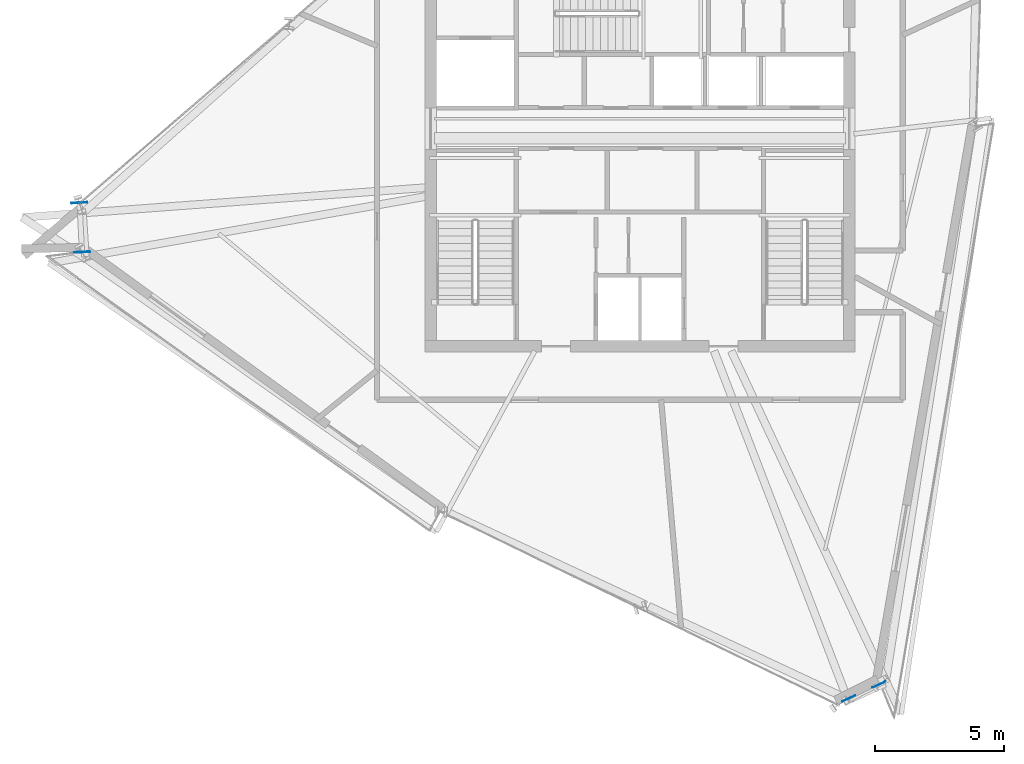
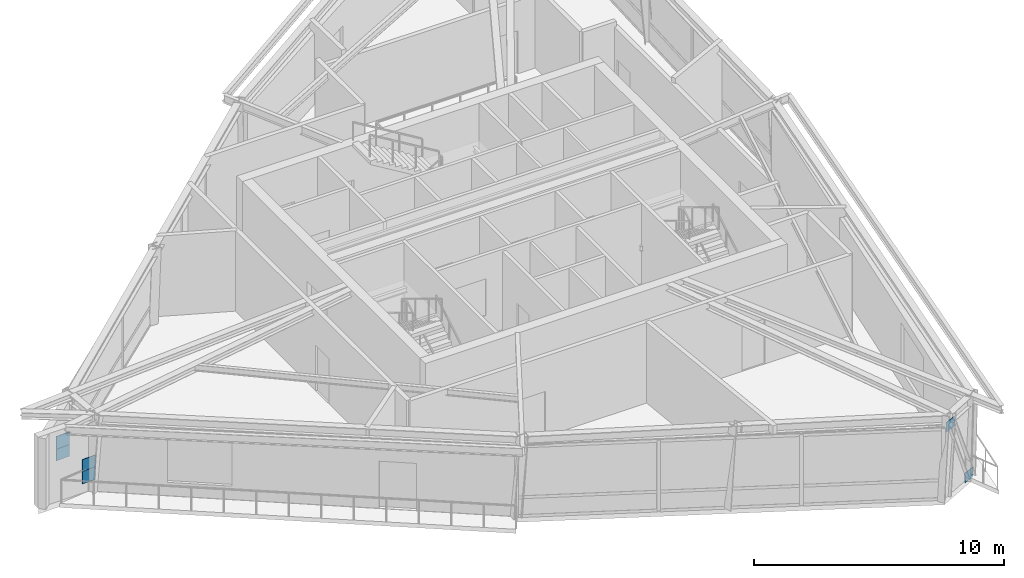
# One storey, part 15 of 22: 6 plates.
"""IFC4 building model written with IfcOpenShell, lengths in metres."""

from ifc_helpers import new_model, si_unit, direction, frame, origin, origin_2d, place, context, subcontext, project, spatial, rectangle, extrude, source, transform, mapped, material, type_object, element, save


model = new_model("IFC4")

# Units and contexts
model_context = context("Model", 3, precision=1e-05, world=origin(), true_north=direction((0.0, 1.0)))
body_context = subcontext(model_context, "Body", "Model", "MODEL_VIEW")
ifc_project = project(units=[si_unit("LENGTHUNIT", "METRE"), si_unit("AREAUNIT", "SQUARE_METRE"), si_unit("VOLUMEUNIT", "CUBIC_METRE"), si_unit("PLANEANGLEUNIT", "RADIAN"), si_unit("MASSUNIT", "GRAM", prefix="KILO")], contexts=[model_context])

# Site, building, storey
site_placement = place(None, origin())
site = spatial("IfcSite", under=ifc_project, at=site_placement, CompositionType="ELEMENT")
building_placement = place(site_placement, origin())
building = spatial("IfcBuilding", under=site, at=building_placement, Name="Olszyna Solenne Hotel", CompositionType="ELEMENT")
storey_placement = place(building_placement, frame((0.0, 0.0, 281.89990234375)))
storey = spatial("IfcBuildingStorey", under=building, at=storey_placement, Name="L75", CompositionType="ELEMENT", Elevation=281.89990234375)

# Plates
ifc_material_1 = material(Name="Steel S460M", Category="steel")
plate_type_1 = type_object("IfcPlateType", Name="GP-CAP2", PredefinedType="USERDEFINED", material=ifc_material_1)
shared_shape_1 = source(origin(), body_context, "Body", "SweptSolid", [
    extrude(rectangle(XDim=0.030029296875, YDim=0.6201171875, at=origin_2d()), origin(), (0.0, 0.0, 1.0), 0.6201171875),
])
for number, where, z_axis, x_axis, name in (
    (1, (16.25244140625, 24.847412109375, 1.0400390625), (0.0, 0.0, 1.0), (0.050592940077, -0.998719357184, 0.0), "Hollow section end-cap plate GP-CAP2 CP-PR-M-L75-PR1-1"),
    (2, (16.349609375, 22.931884765625, 1.0400390625), (0.0, 0.0, 1.0), (0.050592940077, -0.998719357184, 0.0), "Hollow section end-cap plate GP-CAP2 CP-PR-M-L75-PR1-2"),
    (3, (16.25244140625, 24.847412109375, 0.469970703125), (0.0, 0.0, 1.0), (0.050592940077, -0.998719357184, 0.0), "Hollow section end-cap plate GP-CAP2 CP-PR-M-L75-PR2-1"),
    (4, (16.349609375, 22.931884765625, 0.469970703125), (0.0, 0.0, 1.0), (0.050592940077, -0.998719357184, 0.0), "Hollow section end-cap plate GP-CAP2 CP-PR-M-L75-PR2-2"),
):
    element("IfcPlate", number, at=place(storey_placement, frame(where, z_axis=z_axis, x_axis=x_axis)), inside=storey, type_object=plate_type_1, Name=name, ObjectType="GUSSET_PLATE", PredefinedType="USERDEFINED", context=body_context, shape_type="MappedRepresentation", body=[
        mapped(shared_shape_1, transform((0.0, 0.0, 0.0), x_axis=(1.0, 0.0, 0.0), y_axis=(0.0, 1.0, 0.0), z_axis=(0.0, 0.0, 1.0), scale=1.0)),
    ])
ifc_material_2 = material(Name="Steel S355J2", Category="steel")
plate_type_2 = type_object("IfcPlateType", Name="GP-ND2", PredefinedType="USERDEFINED", material=ifc_material_2)
shared_shape_2 = source(origin(), body_context, "Body", "SweptSolid", [
    extrude(rectangle(XDim=0.56005859375, YDim=0.02001953125, at=origin_2d()), origin(), (0.0, 0.0, 1.0), 0.47998046875),
])
for number, where, z_axis, x_axis, name in (
    (5, (47.268798828125, 6.1455078125, -0.099853515625), (0.0, 0.0, 1.0), (-0.909090744247, -0.416598150168, 0.0), "Brace end connection gusset plate GP-ND2 EP-BR-L75-3-1"),
    (6, (46.10107421875, 5.6103515625, 3.109130859375), (0.0, 0.0, 1.0), (-0.909090744247, -0.416598150168, 0.0), "Brace end connection gusset plate GP-ND2 EP-BR-L75-3-2"),
):
    element("IfcPlate", number, at=place(storey_placement, frame(where, z_axis=z_axis, x_axis=x_axis)), inside=storey, type_object=plate_type_2, Name=name, ObjectType="GUSSET_PLATE", PredefinedType="USERDEFINED", context=body_context, shape_type="MappedRepresentation", body=[
        mapped(shared_shape_2, transform((0.0, 0.0, 0.0), x_axis=(1.0, 0.0, 0.0), y_axis=(0.0, 1.0, 0.0), z_axis=(0.0, 0.0, 1.0), scale=1.0)),
    ])

save(model, "model.ifc")
